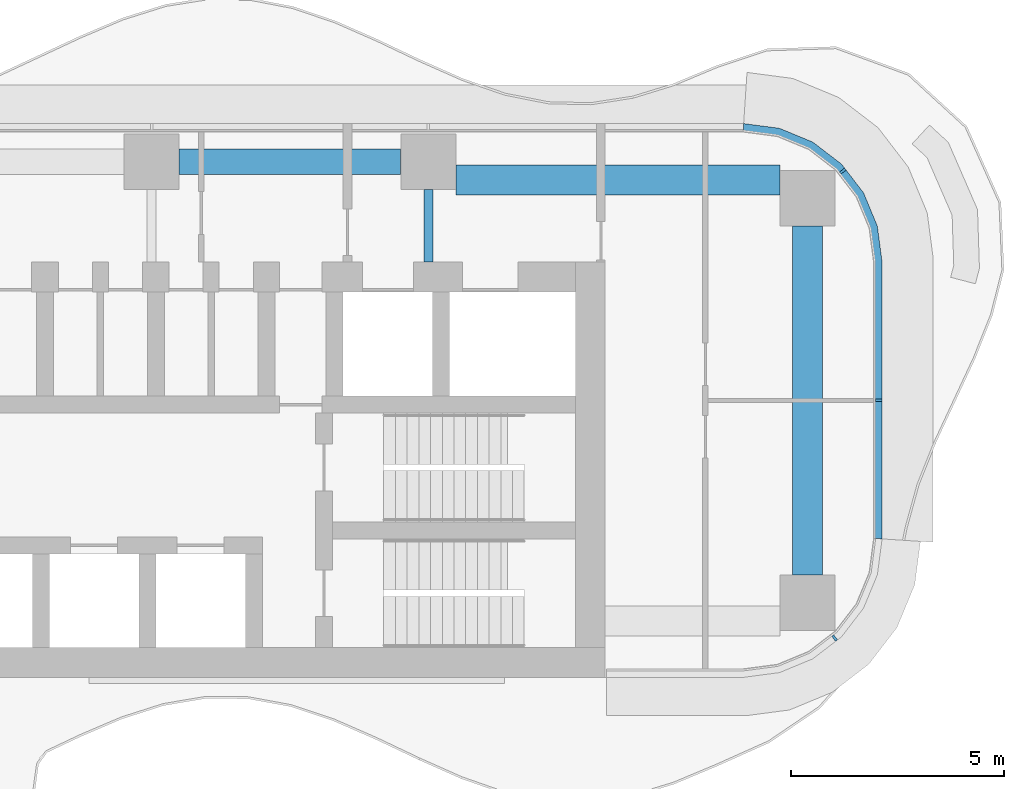
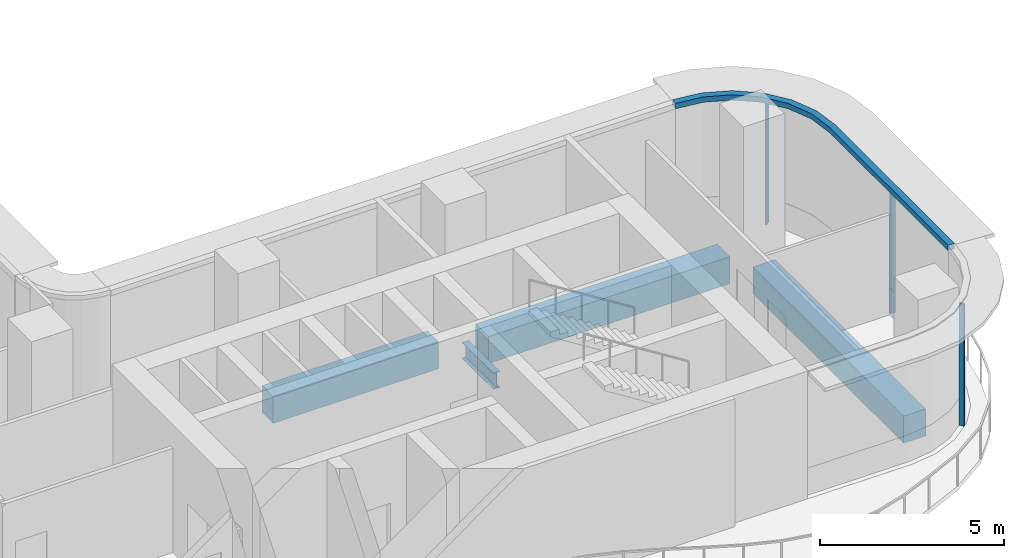
# One storey, part 7 of 20: 4 beams, 4 members, 2 elements without a shape of their own.
"""IFC4 building model written with IfcOpenShell, lengths in metres."""

import ifcopenshell
import ifcopenshell.guid

model = None  # the IFC model being written
_history = None  # IfcOwnerHistory: only IFC2X3 demands one
_inside = {}  # id of a spatial element -> (the spatial element, [elements in it])
_under = {}  # id of a project, library or spatial element -> (it, [spatial elements below it])
_declared = {}  # id of a project -> (the project, [libraries it declares])
_typed = {}  # id of a type object -> (the type object, [elements of that type])
_made_of = {}  # id of a material, layer set ... -> (it, [elements and type objects made of it])


def new_model(schema):
    """Start an empty IFC model of exactly this schema.

    Asked for "IFC4X3", IfcOpenShell would pick the latest addendum, in which some entities
    have other attributes; the version numbers below select the first issue.
    IFC2X3 requires an IfcOwnerHistory on every rooted entity: one is made here for all.
    """
    global model, _history
    if schema == "IFC4X3":
        model = ifcopenshell.file(schema_version=(4, 3, 0, 0))
    else:
        model = ifcopenshell.file(schema=schema)
    _inside.clear()
    _under.clear()
    _declared.clear()
    _typed.clear()
    _made_of.clear()
    _history = None
    if model.schema == "IFC2X3":
        org = make("IfcOrganization", Name="unknown")
        user = make(
            "IfcPersonAndOrganization",
            ThePerson=make("IfcPerson", FamilyName="unknown"),
            TheOrganization=org,
        )
        app = make(
            "IfcApplication",
            ApplicationDeveloper=org,
            Version="unknown",
            ApplicationFullName="unknown",
            ApplicationIdentifier="unknown",
        )
        _history = make(
            "IfcOwnerHistory",
            OwningUser=user,
            OwningApplication=app,
            ChangeAction="ADDED",
            CreationDate=0,
        )
    return model


def make(cls, **values):
    """One entity of the class cls with the attributes given. An attribute that is None is left unset."""
    return model.create_entity(
        cls, **{name: value for name, value in values.items() if value is not None}
    )


def rooted(cls, **values):
    """An entity with a GlobalId (a new one), such as an element, a storey or a relation."""
    return make(cls, GlobalId=ifcopenshell.guid.new(), OwnerHistory=_history, **values)


def si_unit(unit_type, name, prefix=None):
    """IfcSIUnit, for example si_unit("LENGTHUNIT", "METRE", prefix="MILLI")."""
    return make("IfcSIUnit", UnitType=unit_type, Prefix=prefix, Name=name)


def assignment(units):
    """IfcUnitAssignment: the units of a project."""
    return None if units is None else make("IfcUnitAssignment", Units=units)


def point(xyz):
    """IfcCartesianPoint."""
    return None if xyz is None else make("IfcCartesianPoint", Coordinates=xyz)


def direction(xyz):
    """IfcDirection."""
    return None if xyz is None else make("IfcDirection", DirectionRatios=xyz)


def frame(location, z_axis=None, x_axis=None):
    """IfcAxis2Placement3D, a coordinate frame: its origin and axes. An axis left out is left unset."""
    return make(
        "IfcAxis2Placement3D",
        Location=point(location),
        Axis=direction(z_axis),
        RefDirection=direction(x_axis),
    )


def frame_2d(location, x_axis=None):
    """IfcAxis2Placement2D, a coordinate frame in the plane: its origin and x axis."""
    return make(
        "IfcAxis2Placement2D", Location=point(location), RefDirection=direction(x_axis)
    )


def origin():
    """The frame at (0, 0, 0) with its axes left unset."""
    return frame((0.0, 0.0, 0.0))


def origin_2d():
    """The frame at (0, 0) in the plane with its x axis left unset."""
    return frame_2d((0.0, 0.0))


def place(relative_to, where):
    """IfcLocalPlacement: puts the frame where relative to a parent placement (None: the world)."""
    return make(
        "IfcLocalPlacement", PlacementRelTo=relative_to, RelativePlacement=where
    )


def context(
    kind, dimensions, precision=None, world=None, true_north=None, identifier=None
):
    """IfcGeometricRepresentationContext, for example the 3D "Model" context."""
    return make(
        "IfcGeometricRepresentationContext",
        ContextIdentifier=identifier,
        ContextType=kind,
        CoordinateSpaceDimension=dimensions,
        Precision=precision,
        WorldCoordinateSystem=world,
        TrueNorth=true_north,
    )


def subcontext(parent, identifier, kind, view, scale=None):
    """IfcGeometricRepresentationSubContext, for example "Body" below "Model"."""
    return make(
        "IfcGeometricRepresentationSubContext",
        ContextIdentifier=identifier,
        ContextType=kind,
        ParentContext=parent,
        TargetScale=scale,
        TargetView=view,
    )


def project(units=None, contexts=None):
    """IfcProject with its units and contexts."""
    return rooted(
        "IfcProject",
        Name="project",
        RepresentationContexts=contexts,
        UnitsInContext=assignment(units),
    )


def spatial(cls, under=None, at=None, **own):
    """A site, building, storey or space (cls), placed at a placement, below another one or the project."""
    s = rooted(cls, ObjectPlacement=at, **own)
    if under is not None:
        _under.setdefault(under.id(), (under, []))[1].append(s)
    return s


def polyline(points):
    """IfcPolyline through the points."""
    return make("IfcPolyline", Points=[point(p) for p in points])


def profile(cls, at=None, kind="AREA", **sizes):
    """A parametric profile (cls). Its sizes go by their IFC names, for example OverallWidth=200.0."""
    return make(cls, ProfileType=kind, Position=at, **sizes)


def rectangle(**sizes):
    """IfcRectangleProfileDef."""
    return profile("IfcRectangleProfileDef", **sizes)


def i_section(**sizes):
    """IfcIShapeProfileDef."""
    return profile("IfcIShapeProfileDef", **sizes)


def outline(outer, holes=None, kind="AREA"):
    """IfcArbitraryClosedProfileDef: a profile drawn as a closed curve; with holes, ...WithVoids."""
    if holes is None:
        return make("IfcArbitraryClosedProfileDef", ProfileType=kind, OuterCurve=outer)
    return make(
        "IfcArbitraryProfileDefWithVoids",
        ProfileType=kind,
        OuterCurve=outer,
        InnerCurves=holes,
    )


def extrude(swept, where, along, depth):
    """IfcExtrudedAreaSolid: the profile swept, set in the frame where, extruded along a direction by depth."""
    return make(
        "IfcExtrudedAreaSolid",
        SweptArea=swept,
        Position=where,
        ExtrudedDirection=direction(along),
        Depth=depth,
    )


def shape(context_of_items, identifier, shape_type, items):
    """IfcShapeRepresentation: the items that make up one representation, for example the "Body"."""
    return make(
        "IfcShapeRepresentation",
        ContextOfItems=context_of_items,
        RepresentationIdentifier=identifier,
        RepresentationType=shape_type,
        Items=items,
    )


def source(mapping_origin, context_of_items, identifier, shape_type, items):
    """IfcRepresentationMap: a shape defined once, which mapped items show again and again."""
    return make(
        "IfcRepresentationMap",
        MappingOrigin=mapping_origin,
        MappedRepresentation=shape(context_of_items, identifier, shape_type, items),
    )


def transform(
    local_origin,
    x_axis=None,
    y_axis=None,
    z_axis=None,
    scale=None,
    scale2=None,
    scale3=None,
    uniform=True,
):
    """IfcCartesianTransformationOperator3D, or its non-uniform kind. x_axis, y_axis, z_axis: its Axis1, 2, 3."""
    if uniform:
        return make(
            "IfcCartesianTransformationOperator3D",
            Axis1=direction(x_axis),
            Axis2=direction(y_axis),
            LocalOrigin=point(local_origin),
            Scale=scale,
            Axis3=direction(z_axis),
        )
    return make(
        "IfcCartesianTransformationOperator3DnonUniform",
        Axis1=direction(x_axis),
        Axis2=direction(y_axis),
        LocalOrigin=point(local_origin),
        Scale=scale,
        Axis3=direction(z_axis),
        Scale2=scale2,
        Scale3=scale3,
    )


def mapped(mapping_source, mapping_target):
    """IfcMappedItem: shows the shape of a source again, moved by a transform."""
    return make(
        "IfcMappedItem", MappingSource=mapping_source, MappingTarget=mapping_target
    )


def material(Name=None, Category=None):
    """IfcMaterial."""
    return make("IfcMaterial", Name=Name, Category=Category)


def layer(
    of_material, thickness, ventilated=None, Name=None, Category=None, Priority=None
):
    """IfcMaterialLayer: one layer of a wall or slab, of a material (None: an air gap)."""
    return make(
        "IfcMaterialLayer",
        Material=of_material,
        LayerThickness=thickness,
        IsVentilated=ventilated,
        Name=Name,
        Category=Category,
        Priority=Priority,
    )


def layer_set(layers, Name=None):
    """IfcMaterialLayerSet."""
    return make("IfcMaterialLayerSet", MaterialLayers=layers, LayerSetName=Name)


def material_profile(
    of_material, cross_section, Name=None, Category=None, Priority=None
):
    """IfcMaterialProfile: a cross section and its material."""
    return make(
        "IfcMaterialProfile",
        Name=Name,
        Material=of_material,
        Profile=cross_section,
        Priority=Priority,
        Category=Category,
    )


def profile_set(profiles, Name=None, composite=None):
    """IfcMaterialProfileSet."""
    return make(
        "IfcMaterialProfileSet",
        Name=Name,
        MaterialProfiles=profiles,
        CompositeProfile=composite,
    )


def made_of(thing, what):
    """Note that an element or type object is made of a material, layer set ...; save() writes the relation."""
    if what is not None:
        _made_of.setdefault(what.id(), (what, []))[1].append(thing)
    return thing


def type_object(cls, material=None, **own):
    """A type object (cls), such as IfcWallType, which elements share."""
    return made_of(rooted(cls, **own), material)


def element(
    cls,
    number,
    at=None,
    inside=None,
    cuts=None,
    type_object=None,
    material=None,
    context=None,
    identifier="Body",
    shape_type=None,
    held_by="IfcProductDefinitionShape",
    body=None,
    shapes=None,
    **own,
):
    """One element of the class cls, such as IfcWall. Its Tag is "e" and its number.

    at: its placement. inside: the storey or other place that contains it. cuts: it is an
    opening in that element (IfcRelVoidsElement). A single representation is given by context,
    identifier, shape_type and body (its items); several are given by shapes. held_by: the class
    of the entity that holds the representations. save() writes the other relations.
    """
    e = rooted(cls, Tag="e%d" % number, ObjectPlacement=at, **own)
    if body is not None:
        shapes = [shape(context, identifier, shape_type, body)]
    if shapes is not None:
        e.Representation = make(held_by, Representations=shapes)
    if inside is not None:
        _inside.setdefault(inside.id(), (inside, []))[1].append(e)
    if cuts is not None:
        rooted(
            "IfcRelVoidsElement", RelatingBuildingElement=cuts, RelatedOpeningElement=e
        )
    if type_object is not None:
        _typed.setdefault(type_object.id(), (type_object, []))[1].append(e)
    return made_of(e, material)


def aggregate(whole, parts):
    """IfcRelAggregates: a whole, such as a stair, and the parts it consists of."""
    return rooted("IfcRelAggregates", RelatingObject=whole, RelatedObjects=parts)


def save(model, path):
    """Write the relations noted so far, then the file.

    IfcRelAggregates (storeys below a building ...), IfcRelContainedInSpatialStructure (elements
    in a storey), IfcRelDefinesByType, IfcRelAssociatesMaterial and IfcRelDeclares: one each for
    every whole, place, type object, material and project.
    """
    for whole, parts in _under.values():
        aggregate(whole, parts)
    for where, things in _inside.values():
        rooted(
            "IfcRelContainedInSpatialStructure",
            RelatedElements=things,
            RelatingStructure=where,
        )
    for kind, things in _typed.values():
        rooted("IfcRelDefinesByType", RelatedObjects=things, RelatingType=kind)
    for what, things in _made_of.values():
        rooted("IfcRelAssociatesMaterial", RelatedObjects=things, RelatingMaterial=what)
    for by, libraries in _declared.values():
        rooted("IfcRelDeclares", RelatingContext=by, RelatedDefinitions=libraries)
    model.write(path)


model = new_model("IFC4")

# Units and contexts
model_context = context("Model", 3, precision=1e-05, world=origin(), true_north=direction((0.0, 1.0)))
body_context = subcontext(model_context, "Body", "Model", "MODEL_VIEW")
ifc_project = project(units=[si_unit("LENGTHUNIT", "METRE"), si_unit("AREAUNIT", "SQUARE_METRE"), si_unit("VOLUMEUNIT", "CUBIC_METRE"), si_unit("PLANEANGLEUNIT", "RADIAN"), si_unit("MASSUNIT", "GRAM", prefix="KILO")], contexts=[model_context])

# Site, building, storey
site_placement = place(None, origin())
site = spatial("IfcSite", under=ifc_project, at=site_placement, CompositionType="ELEMENT")
building_placement = place(site_placement, origin())
building = spatial("IfcBuilding", under=site, at=building_placement, Name="Trellis Farm Tower", CompositionType="ELEMENT")
storey_placement = place(building_placement, frame((0.0, 0.0, 142.5)))
storey = spatial("IfcBuildingStorey", under=building, at=storey_placement, Name="L30", CompositionType="ELEMENT", Elevation=142.5)

# Beams
ifc_material_1 = material(Name="Steel S355", Category="steel")
ifc_material_profile_1 = material_profile(ifc_material_1, i_section(OverallWidth=0.209228515625, OverallDepth=0.533203125, WebThickness=0.010009765625, FlangeThickness=0.015625, FilletRadius=0.0126953125, at=origin_2d()), Name="UB 533x210x92")
ifc_profile_set_1 = profile_set([ifc_material_profile_1], Name="Steel S355")
beam_type_1 = type_object("IfcBeamType", Name="UB 533x210x92", PredefinedType="BEAM", material=ifc_profile_set_1)
shared_shape_1 = source(origin(), body_context, "Body", "SweptSolid", [
    extrude(i_section(OverallWidth=0.209228515625, OverallDepth=0.533203125, WebThickness=0.010009765625, FlangeThickness=0.015625, FilletRadius=0.0126953125, at=origin_2d()), origin(), (0.0, 0.0, 1.0), 1.699951171875),
])
beam_1_placement = place(storey_placement, frame((18.60009765625, 3.25, -0.5166015625), z_axis=(0.0, 1.0, 0.0), x_axis=(-1.0, 0.0, 0.0)))
element("IfcBeam", 1, at=beam_1_placement, inside=storey, type_object=beam_type_1, Name="Girder", PredefinedType="BEAM", context=body_context, shape_type="MappedRepresentation", body=[
    mapped(shared_shape_1, transform((0.0, 0.0, 0.0))),
])
ifc_material_2 = material(Name="Concrete C60/75", Category="concrete")
ifc_material_profile_2 = material_profile(ifc_material_2, rectangle(XDim=0.60009765625, YDim=0.89990234375, at=origin_2d()), Name="RC spandrel beam 600x900 C60/75")
ifc_profile_set_2 = profile_set([ifc_material_profile_2], Name="Concrete C60/75")
beam_type_2 = type_object("IfcBeamType", Name="RC spandrel beam 600x900 C60/75", PredefinedType="SPANDREL", material=ifc_profile_set_2)
shared_shape_2 = source(origin(), body_context, "Body", "SweptSolid", [
    extrude(rectangle(XDim=0.60009765625, YDim=0.89990234375, at=origin_2d()), origin(), (0.0, 0.0, 1.0), 5.199951171875),
])
beam_2_placement = place(storey_placement, frame((12.75, 5.60009765625, -0.699951171875), z_axis=(1.0, 0.0, 0.0), x_axis=(0.0, 1.0, 0.0)))
element("IfcBeam", 2, at=beam_2_placement, inside=storey, type_object=beam_type_2, Name="Girder", PredefinedType="SPANDREL", context=body_context, shape_type="MappedRepresentation", body=[
    mapped(shared_shape_2, transform((0.0, 0.0, 0.0))),
])
ifc_material_profile_3 = material_profile(ifc_material_2, rectangle(XDim=0.699951171875, YDim=0.89990234375, at=origin_2d()), Name="RC spandrel beam 700x900 C60/75")
ifc_profile_set_3 = profile_set([ifc_material_profile_3], Name="Concrete C60/75")
beam_type_3 = type_object("IfcBeamType", Name="RC spandrel beam 700x900 C60/75", PredefinedType="SPANDREL", material=ifc_profile_set_3)
shared_shape_3 = source(origin(), body_context, "Body", "SweptSolid", [
    extrude(rectangle(XDim=0.699951171875, YDim=0.89990234375, at=origin_2d()), origin(), (0.0, 0.0, 1.0), 8.2001953125),
])
beam_3_placement = place(storey_placement, frame((27.5, -4.10009765625, -0.699951171875), z_axis=(0.0, 1.0, 0.0), x_axis=(-1.0, 0.0, 0.0)))
element("IfcBeam", 3, at=beam_3_placement, inside=storey, type_object=beam_type_3, Name="Girder", PredefinedType="SPANDREL", context=body_context, shape_type="MappedRepresentation", body=[
    mapped(shared_shape_3, transform((0.0, 0.0, 0.0))),
])
shared_shape_4 = source(origin(), body_context, "Body", "SweptSolid", [
    extrude(rectangle(XDim=0.699951171875, YDim=0.89990234375, at=origin_2d()), origin(), (0.0, 0.0, 1.0), 7.60009765625),
])
beam_4_placement = place(storey_placement, frame((19.25, 5.175048828125, -0.699951171875), z_axis=(1.0, 0.0, 0.0), x_axis=(0.0, 1.0, 0.0)))
element("IfcBeam", 4, at=beam_4_placement, inside=storey, type_object=beam_type_3, Name="Girder", PredefinedType="SPANDREL", context=body_context, shape_type="MappedRepresentation", body=[
    mapped(shared_shape_4, transform((0.0, 0.0, 0.0))),
])

# Curtain wall, member
ifc_material_3 = material(Name="Aluminium and glass curtain wall", Category="aluminium")
ifc_layer_1 = layer(ifc_material_3, 0.18994140625)
ifc_layer_set_1 = layer_set([ifc_layer_1], Name="RIBBON CURTAIN WALL CW1")
curtain_wall_type = type_object("IfcCurtainWallType", Name="RIBBON CURTAIN WALL CW1", PredefinedType="NOTDEFINED", material=ifc_layer_set_1)
placement = place(storey_placement, origin())
curtain_wall_1 = element("IfcCurtainWall", 5, at=placement, inside=storey, type_object=curtain_wall_type, Name="CW1 006", PredefinedType="NOTDEFINED")
ifc_material_4 = material(Name="Aluminium extrusion 6063-T6", Category="aluminium")
ifc_material_profile_4 = material_profile(ifc_material_4, rectangle(XDim=0.06005859375, YDim=0.14990234375, at=origin_2d()), Name="MULLION 60x150")
ifc_profile_set_4 = profile_set([ifc_material_profile_4], Name="Aluminium extrusion 6063-T6")
member_type_1 = type_object("IfcMemberType", Name="CW1 MULLION 60x150", PredefinedType="MULLION", material=ifc_profile_set_4)
shared_shape_5 = source(origin(), body_context, "Body", "SweptSolid", [
    extrude(rectangle(XDim=0.06005859375, YDim=0.14990234375, at=origin_2d()), origin(), (0.0, 0.0, 1.0), 4.070068359375),
])
member_1_placement = place(storey_placement, frame((28.135498046875, -5.578369140625, 0.0), z_axis=(0.0, 0.0, 1.0), x_axis=(0.793353340291, 0.608761429009, 0.0)))
member_1 = element("IfcMember", 6, at=member_1_placement, type_object=member_type_1, Name="MU1 006-01", PredefinedType="MULLION", context=body_context, shape_type="MappedRepresentation", body=[
    mapped(shared_shape_5, transform((0.0, 0.0, 0.0))),
])
aggregate(curtain_wall_1, [member_1])

# Curtain wall, members
curtain_wall_2 = element("IfcCurtainWall", 7, at=placement, inside=storey, type_object=curtain_wall_type, Name="CW1 007", PredefinedType="NOTDEFINED")
member_2_placement = place(storey_placement, frame((29.175048828125, 0.0, 0.0), z_axis=(0.0, 0.0, 1.0), x_axis=(0.0, 1.0, 0.0)))
member_2 = element("IfcMember", 8, at=member_2_placement, type_object=member_type_1, Name="MU1 007-01", PredefinedType="MULLION", context=body_context, shape_type="MappedRepresentation", body=[
    mapped(shared_shape_5, transform((0.0, 0.0, 0.0))),
])
member_3_placement = place(storey_placement, frame((28.328369140625, 5.385498046875, 0.0), z_axis=(0.0, 0.0, 1.0), x_axis=(-0.608761429009, 0.793353340291, 0.0)))
member_3 = element("IfcMember", 9, at=member_3_placement, type_object=member_type_1, Name="MU1 007-02", PredefinedType="MULLION", context=body_context, shape_type="MappedRepresentation", body=[
    mapped(shared_shape_5, transform((0.0, 0.0, 0.0))),
])
ifc_layer_2 = layer(ifc_material_4, 0.199951171875)
ifc_layer_set_2 = layer_set([ifc_layer_2], Name="Aluminium extrusion 6063-T6")
member_type_2 = type_object("IfcMemberType", Name="CW1 TRANSOM 200x180", PredefinedType="USERDEFINED", material=ifc_layer_set_2)
shared_shape_6 = source(origin(), body_context, "Body", "SweptSolid", [
    extrude(outline(polyline([(29.25, -3.25), (29.25, 3.25), (29.13916015625, 4.091064453125), (28.814697265625, 4.875), (28.298095703125, 5.548095703125), (27.625, 6.064697265625), (26.841064453125, 6.38916015625), (26.0, 6.5), (25.98681640625, 6.300048828125), (26.7890625, 6.1943359375), (27.524169921875, 5.889892578125), (28.155517578125, 5.405517578125), (28.639892578125, 4.774169921875), (28.9443359375, 4.0390625), (29.050048828125, 3.23681640625), (29.050048828125, -3.23681640625), (29.25, -3.25)])), origin(), (0.0, 0.0, 1.0), 0.179931640625),
])
member_4_placement = place(storey_placement, frame((0.0, 0.0, 4.070068359375)))
member_4 = element("IfcMember", 10, at=member_4_placement, type_object=member_type_2, Name="TR1 007", ObjectType="TRANSOM", PredefinedType="USERDEFINED", context=body_context, shape_type="MappedRepresentation", body=[
    mapped(shared_shape_6, transform((0.0, 0.0, 0.0))),
])
aggregate(curtain_wall_2, [member_2, member_3, member_4])

save(model, "model.ifc")
